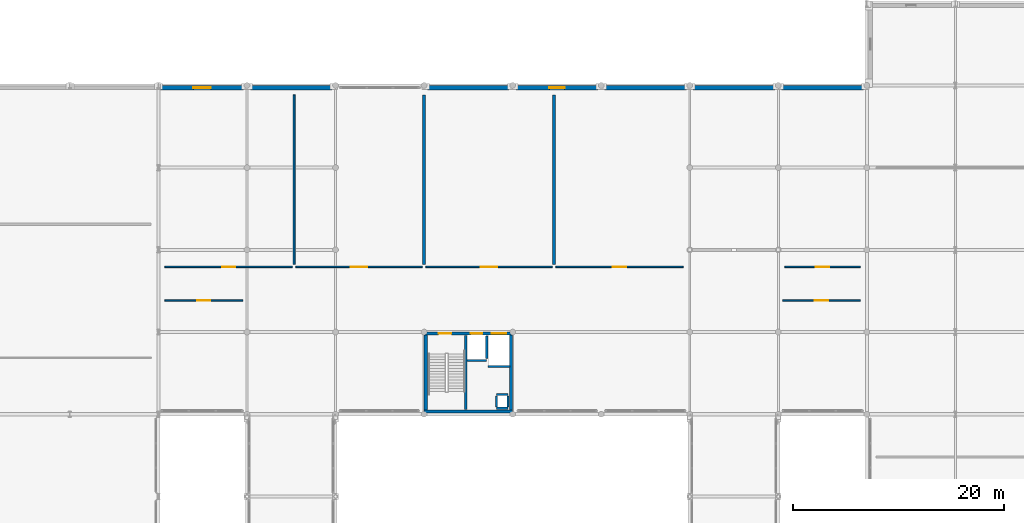
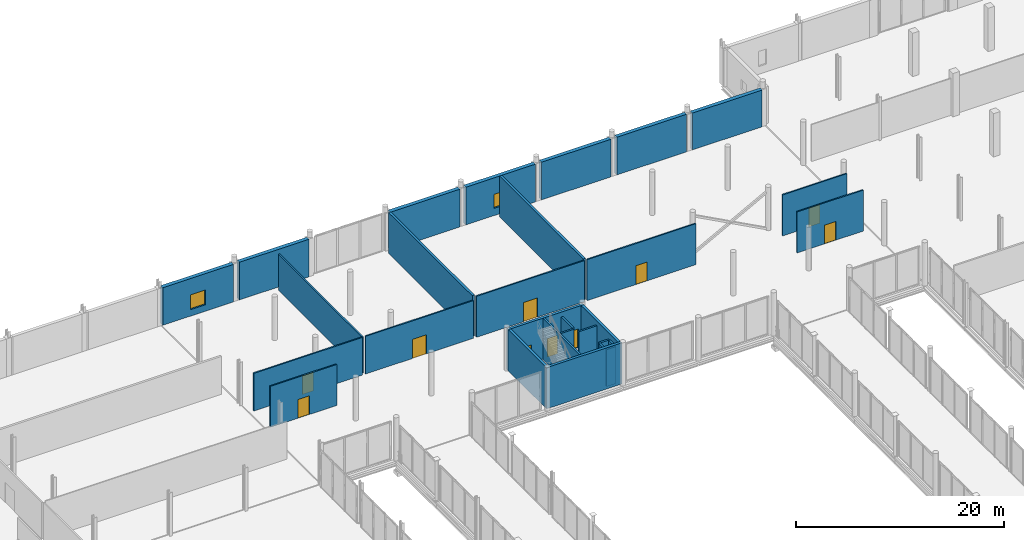
# One storey, part 79 of 105: 29 walls, 10 doors, 2 windows, 12 openings.
"""IFC4 building model written with IfcOpenShell, lengths in metres."""

from ifc_helpers import new_model, si_unit, direction, frame, frame_2d, origin, place, context, subcontext, project, spatial, rectangle, extrude, material, layer, layer_set, type_object, element, fill, save


model = new_model("IFC4")

# Units and contexts
model_context = context("Model", 3, precision=1e-05, world=origin(), true_north=direction((0.0, 1.0)))
body_context = subcontext(model_context, "Body", "Model", "MODEL_VIEW")
ifc_project = project(units=[si_unit("LENGTHUNIT", "METRE"), si_unit("AREAUNIT", "SQUARE_METRE"), si_unit("VOLUMEUNIT", "CUBIC_METRE"), si_unit("PLANEANGLEUNIT", "RADIAN"), si_unit("MASSUNIT", "GRAM", prefix="KILO")], contexts=[model_context])

# Site, building, storey
site_placement = place(None, origin())
site = spatial("IfcSite", under=ifc_project, at=site_placement, CompositionType="ELEMENT")
building_placement = place(site_placement, origin())
building = spatial("IfcBuilding", under=site, at=building_placement, Name="Nabrawat Pavilion Hospital", CompositionType="ELEMENT")
storey_placement = place(building_placement, frame((0.0, 0.0, 5.10009765625)))
storey = spatial("IfcBuildingStorey", under=building, at=storey_placement, Name="L01", CompositionType="ELEMENT", Elevation=5.10009765625)

# Wall
ifc_material_1 = material(Name="Epoxy-Coated Gypsum on Stud", Category="gypsum")
ifc_layer_1 = layer(ifc_material_1, 0.169921875, Name="Epoxy-Coated Gypsum on Stud")
ifc_layer_set_1 = layer_set([ifc_layer_1], Name="Epoxy-Coated Gypsum on Stud")
wall_type_1 = type_object("IfcWallType", Name="Biosafety Laboratory Chemical Wall 170", PredefinedType="PARTITIONING", material=ifc_layer_set_1)
wall_1_placement = place(storey_placement, frame((71.669921875, 100.010009765625, 0.0), z_axis=(0.0, 0.0, 1.0), x_axis=(0.0, 1.0, 0.0)))
element("IfcWall", 1, at=wall_1_placement, inside=storey, type_object=wall_type_1, Name="L01 Microbiology Biosafety Level-2 Laboratory L01-03 Dividing Partition", PredefinedType="PARTITIONING", context=body_context, shape_type="SweptSolid", body=[
    extrude(rectangle(XDim=16.10009765625, YDim=0.169921875, at=frame_2d((8.050048828125, 0.0))), origin(), (0.0, 0.0, 1.0), 4.239990234375),
])

# Wall, opening, door
ifc_material_2 = material(Name="Gypsum Fireboard on Steel Stud", Category="steel")
ifc_layer_2 = layer(ifc_material_2, 0.14990234375, Name="Gypsum Fireboard on Steel Stud")
ifc_layer_set_2 = layer_set([ifc_layer_2], Name="Gypsum Fireboard on Steel Stud")
wall_type_2 = type_object("IfcWallType", Name="Clinical Corridor Smoke-Barrier Wall 150", PredefinedType="PARTITIONING", material=ifc_layer_set_2)
wall_2_placement = place(storey_placement, frame((59.419921875, 96.610107421875, 0.0), z_axis=(0.0, 0.0, 1.0), x_axis=(1.0, 0.0, 0.0)))
wall_2 = element("IfcWall", 2, at=wall_2_placement, inside=storey, type_object=wall_type_2, Name="L01 Clinical Haematology and Coagulation Laboratory L01-01 Front Partition", PredefinedType="PARTITIONING", context=body_context, shape_type="SweptSolid", body=[
    extrude(rectangle(XDim=7.380126953125, YDim=0.14990234375, at=frame_2d((3.68994140625, 0.0))), origin(), (0.0, 0.0, 1.0), 4.81982421875),
])
opening_1_placement = place(wall_2_placement, frame((3.06494140625, 0.0, 0.0)))
opening_1 = element("IfcOpeningElement", 3, at=opening_1_placement, cuts=wall_2, Name="Opening D-LAB", PredefinedType="OPENING", context=body_context, shape_type="SweptSolid", body=[
    extrude(rectangle(XDim=1.25, YDim=2.199951171875, at=frame_2d((0.625, 1.10009765625))), frame((0.0, 0.0849609375, 0.0), z_axis=(0.0, -1.0, 0.0), x_axis=(1.0, 0.0, 0.0)), (0.0, 0.0, 1.0), 0.169921875),
])
ifc_material_3 = material(Name="Stainless-Clad Acoustic Timber and Vision Glass", Category="wood")
door_type_1 = type_object("IfcDoorType", Name="Laboratory Containment Vision-Panel Door 1250x2200", OperationType="NOTDEFINED", PredefinedType="DOOR", material=ifc_material_3)
door_1_placement = place(opening_1_placement, origin())
door_1 = element("IfcDoor", 4, at=door_1_placement, inside=storey, type_object=door_type_1, Name="Clinical Haematology and Coagulation Laboratory L01-01 Door", OperationType="SINGLE_SWING_RIGHT", OverallHeight=2.199951171875, OverallWidth=1.25, PredefinedType="DOOR", context=body_context, shape_type="SweptSolid", body=[
    extrude(rectangle(XDim=1.25, YDim=2.199951171875, at=frame_2d((0.625, 1.10009765625))), frame((0.0, 0.02490234375, 0.0), z_axis=(0.0, -1.0, 0.0), x_axis=(1.0, 0.0, 0.0)), (0.0, 0.0, 1.0), 0.050048828125),
])
fill(opening_1, door_1)

wall_3_placement = place(storey_placement, frame((118.0, 96.610107421875, 0.0), z_axis=(0.0, 0.0, 1.0), x_axis=(1.0, 0.0, 0.0)))
wall_3 = element("IfcWall", 5, at=wall_3_placement, inside=storey, type_object=wall_type_2, Name="L01 Automated Clinical Biochemistry Laboratory L01-02 Front Partition", PredefinedType="PARTITIONING", context=body_context, shape_type="SweptSolid", body=[
    extrude(rectangle(XDim=7.3798828125, YDim=0.14990234375, at=frame_2d((3.68994140625, 0.0))), origin(), (0.0, 0.0, 1.0), 4.81982421875),
])
opening_2_placement = place(wall_3_placement, frame((3.06494140625, 0.0, 0.0)))
opening_2 = element("IfcOpeningElement", 6, at=opening_2_placement, cuts=wall_3, Name="Opening D-LAB", PredefinedType="OPENING", context=body_context, shape_type="SweptSolid", body=[
    extrude(rectangle(XDim=1.25, YDim=2.199951171875, at=frame_2d((0.625, 1.10009765625))), frame((0.0, 0.0849609375, 0.0), z_axis=(0.0, -1.0, 0.0), x_axis=(1.0, 0.0, 0.0)), (0.0, 0.0, 1.0), 0.169921875),
])
door_2_placement = place(opening_2_placement, origin())
door_2 = element("IfcDoor", 7, at=door_2_placement, inside=storey, type_object=door_type_1, Name="Automated Clinical Biochemistry Laboratory L01-02 Door", OperationType="SINGLE_SWING_LEFT", OverallHeight=2.199951171875, OverallWidth=1.25, PredefinedType="DOOR", context=body_context, shape_type="SweptSolid", body=[
    extrude(rectangle(XDim=1.25, YDim=2.199951171875, at=frame_2d((0.625, 1.10009765625))), frame((0.0, 0.02490234375, 0.0), z_axis=(0.0, -1.0, 0.0), x_axis=(1.0, 0.0, 0.0)), (0.0, 0.0, 1.0), 0.050048828125),
])
fill(opening_2, door_2)

wall_4_placement = place(storey_placement, frame((59.419921875, 99.7900390625, 0.0), z_axis=(0.0, 0.0, 1.0), x_axis=(1.0, 0.0, 0.0)))
wall_4 = element("IfcWall", 8, at=wall_4_placement, inside=storey, type_object=wall_type_2, Name="L01 Microbiology Biosafety Level-2 Laboratory L01-03 Front Partition", PredefinedType="PARTITIONING", context=body_context, shape_type="SweptSolid", body=[
    extrude(rectangle(XDim=12.090087890625, YDim=0.14990234375, at=frame_2d((6.044921875, 0.0))), origin(), (0.0, 0.0, 1.0), 4.429931640625),
])
opening_3_placement = place(wall_4_placement, frame((5.419921875, 0.0, 0.0)))
opening_3 = element("IfcOpeningElement", 9, at=opening_3_placement, cuts=wall_4, Name="Opening D-LAB", PredefinedType="OPENING", context=body_context, shape_type="SweptSolid", body=[
    extrude(rectangle(XDim=1.25, YDim=2.199951171875, at=frame_2d((0.625, 1.10009765625))), frame((0.0, 0.0849609375, 0.0), z_axis=(0.0, -1.0, 0.0), x_axis=(1.0, 0.0, 0.0)), (0.0, 0.0, 1.0), 0.169921875),
])
door_3_placement = place(opening_3_placement, origin())
door_3 = element("IfcDoor", 10, at=door_3_placement, inside=storey, type_object=door_type_1, Name="Microbiology Biosafety Level-2 Laboratory L01-03 Door", OperationType="SINGLE_SWING_RIGHT", OverallHeight=2.199951171875, OverallWidth=1.25, PredefinedType="DOOR", context=body_context, shape_type="SweptSolid", body=[
    extrude(rectangle(XDim=1.25, YDim=2.199951171875, at=frame_2d((0.625, 1.10009765625))), frame((0.0, 0.02490234375, 0.0), z_axis=(0.0, -1.0, 0.0), x_axis=(1.0, 0.0, 0.0)), (0.0, 0.0, 1.0), 0.050048828125),
])
fill(opening_3, door_3)

wall_5_placement = place(storey_placement, frame((71.830078125, 99.7900390625, 0.0), z_axis=(0.0, 0.0, 1.0), x_axis=(1.0, 0.0, 0.0)))
wall_5 = element("IfcWall", 11, at=wall_5_placement, inside=storey, type_object=wall_type_2, Name="L01 Interventional Cardiology Cath-Lab Suite 1 L01-04 Front Partition", PredefinedType="PARTITIONING", context=body_context, shape_type="SweptSolid", body=[
    extrude(rectangle(XDim=12.010009765625, YDim=0.14990234375, at=frame_2d((6.0048828125, 0.0))), origin(), (0.0, 0.0, 1.0), 4.429931640625),
])
opening_4_placement = place(wall_5_placement, frame((5.22998046875, 0.0, 0.0)))
opening_4 = element("IfcOpeningElement", 12, at=opening_4_placement, cuts=wall_5, Name="Opening D-IMG", PredefinedType="OPENING", context=body_context, shape_type="SweptSolid", body=[
    extrude(rectangle(XDim=1.550048828125, YDim=2.25, at=frame_2d((0.77490234375, 1.125))), frame((0.0, 0.0849609375, 0.0), z_axis=(0.0, -1.0, 0.0), x_axis=(1.0, 0.0, 0.0)), (0.0, 0.0, 1.0), 0.169921875),
])
door_type_2 = type_object("IfcDoorType", Name="Lead-Lined Radiology Shielded Door 1550x2250", OperationType="NOTDEFINED", PredefinedType="DOOR", material=ifc_material_3)
door_4_placement = place(opening_4_placement, origin())
door_4 = element("IfcDoor", 13, at=door_4_placement, inside=storey, type_object=door_type_2, Name="Interventional Cardiology Cath-Lab Suite 1 L01-04 Door", OperationType="SINGLE_SWING_LEFT", OverallHeight=2.25, OverallWidth=1.550048828125, PredefinedType="DOOR", context=body_context, shape_type="SweptSolid", body=[
    extrude(rectangle(XDim=1.550048828125, YDim=2.25, at=frame_2d((0.77490234375, 1.125))), frame((0.0, 0.02490234375, 0.0), z_axis=(0.0, -1.0, 0.0), x_axis=(1.0, 0.0, 0.0)), (0.0, 0.0, 1.0), 0.050048828125),
])
fill(opening_4, door_4)

wall_6_placement = place(storey_placement, frame((84.159912109375, 99.7900390625, 0.0), z_axis=(0.0, 0.0, 1.0), x_axis=(1.0, 0.0, 0.0)))
wall_6 = element("IfcWall", 14, at=wall_6_placement, inside=storey, type_object=wall_type_2, Name="L01 Interventional Angiography Suite 2 L01-05 Front Partition", PredefinedType="PARTITIONING", context=body_context, shape_type="SweptSolid", body=[
    extrude(rectangle(XDim=12.010009765625, YDim=0.14990234375, at=frame_2d((6.0048828125, 0.0))), origin(), (0.0, 0.0, 1.0), 4.81982421875),
])
opening_5_placement = place(wall_6_placement, frame((5.22998046875, 0.0, 0.0)))
opening_5 = element("IfcOpeningElement", 15, at=opening_5_placement, cuts=wall_6, Name="Opening D-IMG", PredefinedType="OPENING", context=body_context, shape_type="SweptSolid", body=[
    extrude(rectangle(XDim=1.550048828125, YDim=2.25, at=frame_2d((0.77490234375, 1.125))), frame((0.0, 0.0849609375, 0.0), z_axis=(0.0, -1.0, 0.0), x_axis=(1.0, 0.0, 0.0)), (0.0, 0.0, 1.0), 0.169921875),
])
door_5_placement = place(opening_5_placement, origin())
door_5 = element("IfcDoor", 16, at=door_5_placement, inside=storey, type_object=door_type_2, Name="Interventional Angiography Suite 2 L01-05 Door", OperationType="SINGLE_SWING_RIGHT", OverallHeight=2.25, OverallWidth=1.550048828125, PredefinedType="DOOR", context=body_context, shape_type="SweptSolid", body=[
    extrude(rectangle(XDim=1.550048828125, YDim=2.25, at=frame_2d((0.77490234375, 1.125))), frame((0.0, 0.02490234375, 0.0), z_axis=(0.0, -1.0, 0.0), x_axis=(1.0, 0.0, 0.0)), (0.0, 0.0, 1.0), 0.050048828125),
])
fill(opening_5, door_5)

wall_7_placement = place(storey_placement, frame((96.489990234375, 99.7900390625, 0.0), z_axis=(0.0, 0.0, 1.0), x_axis=(1.0, 0.0, 0.0)))
wall_7 = element("IfcWall", 17, at=wall_7_placement, inside=storey, type_object=wall_type_2, Name="L01 Molecular Diagnostics Genomics Laboratory L01-06 Front Partition", PredefinedType="PARTITIONING", context=body_context, shape_type="SweptSolid", body=[
    extrude(rectangle(XDim=12.090087890625, YDim=0.14990234375, at=frame_2d((6.044921875, 0.0))), origin(), (0.0, 0.0, 1.0), 4.81982421875),
])
opening_6_placement = place(wall_7_placement, frame((5.419921875, 0.0, 0.0)))
opening_6 = element("IfcOpeningElement", 18, at=opening_6_placement, cuts=wall_7, Name="Opening D-LAB", PredefinedType="OPENING", context=body_context, shape_type="SweptSolid", body=[
    extrude(rectangle(XDim=1.25, YDim=2.199951171875, at=frame_2d((0.625, 1.10009765625))), frame((0.0, 0.0849609375, 0.0), z_axis=(0.0, -1.0, 0.0), x_axis=(1.0, 0.0, 0.0)), (0.0, 0.0, 1.0), 0.169921875),
])
door_6_placement = place(opening_6_placement, origin())
door_6 = element("IfcDoor", 19, at=door_6_placement, inside=storey, type_object=door_type_1, Name="Molecular Diagnostics Genomics Laboratory L01-06 Door", OperationType="SINGLE_SWING_LEFT", OverallHeight=2.199951171875, OverallWidth=1.25, PredefinedType="DOOR", context=body_context, shape_type="SweptSolid", body=[
    extrude(rectangle(XDim=1.25, YDim=2.199951171875, at=frame_2d((0.625, 1.10009765625))), frame((0.0, 0.02490234375, 0.0), z_axis=(0.0, -1.0, 0.0), x_axis=(1.0, 0.0, 0.0)), (0.0, 0.0, 1.0), 0.050048828125),
])
fill(opening_6, door_6)

wall_8_placement = place(storey_placement, frame((118.219970703125, 99.7900390625, 0.0), z_axis=(0.0, 0.0, 1.0), x_axis=(1.0, 0.0, 0.0)))
wall_8 = element("IfcWall", 20, at=wall_8_placement, inside=storey, type_object=wall_type_2, Name="L01 Clinical Haematology and Coagulation Laboratory L01-07 Front Partition", PredefinedType="PARTITIONING", context=body_context, shape_type="SweptSolid", body=[
    extrude(rectangle(XDim=7.159912109375, YDim=0.14990234375, at=frame_2d((3.580078125, 0.0))), origin(), (0.0, 0.0, 1.0), 4.81982421875),
])
opening_7_placement = place(wall_8_placement, frame((2.955078125, 0.0, 0.0)))
opening_7 = element("IfcOpeningElement", 21, at=opening_7_placement, cuts=wall_8, Name="Opening D-LAB", PredefinedType="OPENING", context=body_context, shape_type="SweptSolid", body=[
    extrude(rectangle(XDim=1.25, YDim=2.199951171875, at=frame_2d((0.625, 1.10009765625))), frame((0.0, 0.0849609375, 0.0), z_axis=(0.0, -1.0, 0.0), x_axis=(1.0, 0.0, 0.0)), (0.0, 0.0, 1.0), 0.169921875),
])
door_7_placement = place(opening_7_placement, origin())
door_7 = element("IfcDoor", 22, at=door_7_placement, inside=storey, type_object=door_type_1, Name="Clinical Haematology and Coagulation Laboratory L01-07 Door", OperationType="SINGLE_SWING_RIGHT", OverallHeight=2.199951171875, OverallWidth=1.25, PredefinedType="DOOR", context=body_context, shape_type="SweptSolid", body=[
    extrude(rectangle(XDim=1.25, YDim=2.199951171875, at=frame_2d((0.625, 1.10009765625))), frame((0.0, 0.02490234375, 0.0), z_axis=(0.0, -1.0, 0.0), x_axis=(1.0, 0.0, 0.0)), (0.0, 0.0, 1.0), 0.050048828125),
])
fill(opening_7, door_7)

# Wall, opening, window
ifc_material_4 = material(Name="Precast concrete C40/50", Category="concrete")
ifc_layer_3 = layer(ifc_material_4, 0.419921875, Name="Precast concrete C40/50")
ifc_layer_set_3 = layer_set([ifc_layer_3], Name="Precast concrete C40/50")
wall_type_3 = type_object("IfcWallType", Name="Diagnostic Shielded Precast Facade Wall 420", PredefinedType="SOLIDWALL", material=ifc_layer_set_3)
wall_9_placement = place(storey_placement, frame((59.0, 116.780029296875, 0.0), z_axis=(0.0, 0.0, 1.0), x_axis=(1.0, 0.0, 0.0)))
wall_9 = element("IfcWall", 23, at=wall_9_placement, inside=storey, type_object=wall_type_3, Name="L01 Diagnostic Shielded Precast Facade Wall 420 197", PredefinedType="SOLIDWALL", context=body_context, shape_type="SweptSolid", body=[
    extrude(rectangle(XDim=7.875, YDim=0.419921875, at=frame_2d((3.9375, 0.0))), origin(), (0.0, 0.0, 1.0), 4.419921875),
])
opening_8_placement = place(wall_9_placement, frame((3.112548828125, 0.0, 0.75)))
opening_8 = element("IfcOpeningElement", 24, at=opening_8_placement, cuts=wall_9, Name="Opening WN-13", PredefinedType="OPENING", context=body_context, shape_type="SweptSolid", body=[
    extrude(rectangle(XDim=1.64990234375, YDim=1.75, at=frame_2d((0.824951171875, 0.875))), frame((0.0, 0.219970703125, 0.0), z_axis=(0.0, -1.0, 0.0), x_axis=(1.0, 0.0, 0.0)), (0.0, 0.0, 1.0), 0.43994140625),
])
ifc_material_5 = material(Name="Thermally Broken Aluminium and Solar Glass", Category="aluminium")
window_type_1 = type_object("IfcWindowType", Name="Paediatric Ward Low-Sill Window 1650x1750", PartitioningType="SINGLE_PANEL", PredefinedType="WINDOW", material=ifc_material_5)
window_1_placement = place(opening_8_placement, origin())
window_1 = element("IfcWindow", 25, at=window_1_placement, inside=storey, type_object=window_type_1, Name="L01 Paediatric Ward Low-Sill Window 1650x1750 077", OverallHeight=1.75, OverallWidth=1.64990234375, PartitioningType="SINGLE_PANEL", PredefinedType="WINDOW", context=body_context, shape_type="SweptSolid", body=[
    extrude(rectangle(XDim=1.64990234375, YDim=1.75, at=frame_2d((0.824951171875, 0.875))), frame((0.0, 0.030029296875, 0.0), z_axis=(0.0, -1.0, 0.0), x_axis=(1.0, 0.0, 0.0)), (0.0, 0.0, 1.0), 0.06005859375),
])
fill(opening_8, window_1)

# Walls
wall_10_placement = place(storey_placement, frame((67.52490234375, 116.780029296875, 0.0), z_axis=(0.0, 0.0, 1.0), x_axis=(1.0, 0.0, 0.0)))
element("IfcWall", 26, at=wall_10_placement, inside=storey, type_object=wall_type_3, Name="L01 Diagnostic Shielded Precast Facade Wall 420 198", PredefinedType="SOLIDWALL", context=body_context, shape_type="SweptSolid", body=[
    extrude(rectangle(XDim=7.75, YDim=0.419921875, at=frame_2d((3.875, 0.0))), origin(), (0.0, 0.0, 1.0), 4.429931640625),
])
wall_11_placement = place(storey_placement, frame((84.324951171875, 116.780029296875, 0.0), z_axis=(0.0, 0.0, 1.0), x_axis=(1.0, 0.0, 0.0)))
element("IfcWall", 27, at=wall_11_placement, inside=storey, type_object=wall_type_3, Name="L01 Diagnostic Shielded Precast Facade Wall 420 199", PredefinedType="SOLIDWALL", context=body_context, shape_type="SweptSolid", body=[
    extrude(rectangle(XDim=7.75, YDim=0.419921875, at=frame_2d((3.875, 0.0))), origin(), (0.0, 0.0, 1.0), 4.43994140625),
])

# Wall, opening, window
wall_12_placement = place(storey_placement, frame((92.72509765625, 116.780029296875, 0.0), z_axis=(0.0, 0.0, 1.0), x_axis=(1.0, 0.0, 0.0)))
wall_12 = element("IfcWall", 28, at=wall_12_placement, inside=storey, type_object=wall_type_3, Name="L01 Diagnostic Shielded Precast Facade Wall 420 200", PredefinedType="SOLIDWALL", context=body_context, shape_type="SweptSolid", body=[
    extrude(rectangle(XDim=7.75, YDim=0.419921875, at=frame_2d((3.875, 0.0))), origin(), (0.0, 0.0, 1.0), 4.43994140625),
])
opening_9_placement = place(wall_12_placement, frame((3.14990234375, 0.0, 0.85009765625)))
opening_9 = element("IfcOpeningElement", 29, at=opening_9_placement, cuts=wall_12, Name="Opening WN-14", PredefinedType="OPENING", context=body_context, shape_type="SweptSolid", body=[
    extrude(rectangle(XDim=1.449951171875, YDim=1.64990234375, at=frame_2d((0.72509765625, 0.824951171875))), frame((0.0, 0.219970703125, 0.0), z_axis=(0.0, -1.0, 0.0), x_axis=(1.0, 0.0, 0.0)), (0.0, 0.0, 1.0), 0.43994140625),
])
window_type_2 = type_object("IfcWindowType", Name="Oncology Protective Ward Window 1450x1650", PartitioningType="SINGLE_PANEL", PredefinedType="WINDOW", material=ifc_material_5)
window_2_placement = place(opening_9_placement, origin())
window_2 = element("IfcWindow", 30, at=window_2_placement, inside=storey, type_object=window_type_2, Name="L01 Oncology Protective Ward Window 1450x1650 078", OverallHeight=1.64990234375, OverallWidth=1.449951171875, PartitioningType="SINGLE_PANEL", PredefinedType="WINDOW", context=body_context, shape_type="SweptSolid", body=[
    extrude(rectangle(XDim=1.449951171875, YDim=1.64990234375, at=frame_2d((0.72509765625, 0.824951171875))), frame((0.0, 0.030029296875, 0.0), z_axis=(0.0, -1.0, 0.0), x_axis=(1.0, 0.0, 0.0)), (0.0, 0.0, 1.0), 0.06005859375),
])
fill(opening_9, window_2)

# Walls
for number, where, z_axis, x_axis, name in (
    (31, (101.125, 116.780029296875, 0.0), (0.0, 0.0, 1.0), (1.0, 0.0, 0.0), "L01 Diagnostic Shielded Precast Facade Wall 420 201"),
    (32, (109.52490234375, 116.780029296875, 0.0), (0.0, 0.0, 1.0), (1.0, 0.0, 0.0), "L01 Diagnostic Shielded Precast Facade Wall 420 202"),
):
    element("IfcWall", number, at=place(storey_placement, frame(where, z_axis=z_axis, x_axis=x_axis)), inside=storey, type_object=wall_type_3, Name=name, PredefinedType="SOLIDWALL", context=body_context, shape_type="SweptSolid", body=[
        extrude(rectangle(XDim=7.75, YDim=0.419921875, at=frame_2d((3.875, 0.0))), origin(), (0.0, 0.0, 1.0), 4.429931640625),
    ])
wall_13_placement = place(storey_placement, frame((117.925048828125, 116.780029296875, 0.0), z_axis=(0.0, 0.0, 1.0), x_axis=(1.0, 0.0, 0.0)))
element("IfcWall", 33, at=wall_13_placement, inside=storey, type_object=wall_type_3, Name="L01 Diagnostic Shielded Precast Facade Wall 420 203", PredefinedType="SOLIDWALL", context=body_context, shape_type="SweptSolid", body=[
    extrude(rectangle(XDim=7.75, YDim=0.419921875, at=frame_2d((3.875, 0.0))), origin(), (0.0, 0.0, 1.0), 4.329833984375),
])
ifc_material_6 = material(Name="Barium Concrete Block", Category="concrete")
ifc_layer_4 = layer(ifc_material_6, 0.260009765625, Name="Barium Concrete Block")
ifc_layer_set_4 = layer_set([ifc_layer_4], Name="Barium Concrete Block")
wall_type_4 = type_object("IfcWallType", Name="Diagnostic X-Ray Barium-Plaster Wall 260", PredefinedType="PARTITIONING", material=ifc_layer_set_4)
for number, where, z_axis, x_axis, name in (
    (34, (84.0, 100.010009765625, 0.0), (0.0, 0.0, 1.0), (0.0, 1.0, 0.0), "L01 Interventional Cardiology Cath-Lab Suite 1 L01-04 Dividing Partition"),
    (35, (96.330078125, 100.010009765625, 0.0), (0.0, 0.0, 1.0), (0.0, 1.0, 0.0), "L01 Interventional Angiography Suite 2 L01-05 Dividing Partition"),
):
    element("IfcWall", number, at=place(storey_placement, frame(where, z_axis=z_axis, x_axis=x_axis)), inside=storey, type_object=wall_type_4, Name=name, PredefinedType="PARTITIONING", context=body_context, shape_type="SweptSolid", body=[
        extrude(rectangle(XDim=16.10009765625, YDim=0.260009765625, at=frame_2d((8.050048828125, 0.0))), origin(), (0.0, 0.0, 1.0), 4.81982421875),
    ])
ifc_material_7 = material(Name="Concrete C35/45", Category="concrete")
ifc_layer_5 = layer(ifc_material_7, 0.199951171875, Name="Concrete C35/45")
ifc_layer_set_5 = layer_set([ifc_layer_5], Name="Concrete C35/45")
wall_type_5 = type_object("IfcWallType", Name="Lift and Riser Fire Shaft Wall 200", PredefinedType="PARTITIONING", material=ifc_layer_set_5)
wall_14_placement = place(storey_placement, frame((87.949951171875, 86.239990234375, 0.0), z_axis=(0.0, 0.0, 1.0), x_axis=(0.0, 1.0, 0.0)))
element("IfcWall", 36, at=wall_14_placement, inside=storey, type_object=wall_type_5, Name="L01 CORE-3 Stair-Lift Dividing Shear Wall", PredefinedType="SHEAR", context=body_context, shape_type="SweptSolid", body=[
    extrude(rectangle(XDim=7.0400390625, YDim=0.199951171875, at=frame_2d((3.52001953125, 0.0))), origin(), (0.0, 0.0, 1.0), 4.849853515625),
])
for number, where, z_axis, x_axis, name in (
    (37, (90.85009765625, 86.3701171875, 0.0), (0.0, 0.0, 1.0), (1.0, 0.0, 0.0), "L01 CORE-3 MEP Riser Shaft Wall S"),
    (38, (90.85009765625, 87.669921875, 0.0), (0.0, 0.0, 1.0), (1.0, 0.0, 0.0), "L01 CORE-3 MEP Riser Shaft Wall N"),
):
    element("IfcWall", number, at=place(storey_placement, frame(where, z_axis=z_axis, x_axis=x_axis)), inside=storey, type_object=wall_type_5, Name=name, PredefinedType="PARTITIONING", context=body_context, shape_type="SweptSolid", body=[
        extrude(rectangle(XDim=1.099853515625, YDim=0.199951171875, at=frame_2d((0.5498046875, 0.0))), origin(), (0.0, 0.0, 1.0), 4.33984375),
    ])
for number, where, z_axis, x_axis, name in (
    (39, (90.85009765625, 86.489990234375, 0.0), (0.0, 0.0, 1.0), (0.0, 1.0, 0.0), "L01 CORE-3 MEP Riser Shaft Wall W"),
    (40, (91.949951171875, 86.489990234375, 0.0), (0.0, 0.0, 1.0), (0.0, 1.0, 0.0), "L01 CORE-3 MEP Riser Shaft Wall E"),
):
    element("IfcWall", number, at=place(storey_placement, frame(where, z_axis=z_axis, x_axis=x_axis)), inside=storey, type_object=wall_type_5, Name=name, PredefinedType="PARTITIONING", context=body_context, shape_type="SweptSolid", body=[
        extrude(rectangle(XDim=1.06005859375, YDim=0.199951171875, at=frame_2d((0.530029296875, 0.0))), origin(), (0.0, 0.0, 1.0), 4.33984375),
    ])
wall_15_placement = place(storey_placement, frame((89.93994140625, 91.080078125, 0.0), z_axis=(0.0, 0.0, 1.0), x_axis=(0.0, 1.0, 0.0)))
element("IfcWall", 41, at=wall_15_placement, inside=storey, type_object=wall_type_5, Name="L01 Lift LP-02 Shaft East Wall", PredefinedType="PARTITIONING", context=body_context, shape_type="SweptSolid", body=[
    extrude(rectangle(XDim=2.139892578125, YDim=0.199951171875, at=frame_2d((1.06982421875, 0.0))), origin(), (0.0, 0.0, 1.0), 4.33984375),
])
wall_16_placement = place(storey_placement, frame((88.050048828125, 90.919921875, 0.0), z_axis=(0.0, 0.0, 1.0), x_axis=(1.0, 0.0, 0.0)))
element("IfcWall", 42, at=wall_16_placement, inside=storey, type_object=wall_type_5, Name="L01 Lift LP-02 Shaft Back Wall", PredefinedType="PARTITIONING", context=body_context, shape_type="SweptSolid", body=[
    extrude(rectangle(XDim=1.85986328125, YDim=0.199951171875, at=frame_2d((0.929931640625, 0.0))), origin(), (0.0, 0.0, 1.0), 4.33984375),
])
wall_17_placement = place(storey_placement, frame((90.070068359375, 90.320068359375, 0.0), z_axis=(0.0, 0.0, 1.0), x_axis=(1.0, 0.0, 0.0)))
element("IfcWall", 43, at=wall_17_placement, inside=storey, type_object=wall_type_5, Name="L01 Lift LB-02 Shaft Back Wall", PredefinedType="PARTITIONING", context=body_context, shape_type="SweptSolid", body=[
    extrude(rectangle(XDim=2.059814453125, YDim=0.199951171875, at=frame_2d((1.02978515625, 0.0))), origin(), (0.0, 0.0, 1.0), 4.33984375),
])
ifc_material_8 = material(Name="Concrete C40/50", Category="concrete")
ifc_layer_6 = layer(ifc_material_8, 0.300048828125, Name="Concrete C40/50")
ifc_layer_set_6 = layer_set([ifc_layer_6], Name="Concrete C40/50")
wall_type_6 = type_object("IfcWallType", Name="Reinforced Concrete Core Shear Wall 300", PredefinedType="SHEAR", material=ifc_layer_set_6)
wall_18_placement = place(storey_placement, frame((84.0, 86.070068359375, 0.0), z_axis=(0.0, 0.0, 1.0), x_axis=(1.0, 0.0, 0.0)))
element("IfcWall", 44, at=wall_18_placement, inside=storey, type_object=wall_type_6, Name="L01 CORE-3 South Core Shear Wall", PredefinedType="SHEAR", context=body_context, shape_type="SweptSolid", body=[
    extrude(rectangle(XDim=8.39990234375, YDim=0.300048828125, at=frame_2d((4.199951171875, 0.0))), origin(), (0.0, 0.0, 1.0), 4.849853515625),
])

# Wall, openings, doors
wall_19_placement = place(storey_placement, frame((84.0, 93.449951171875, 0.0), z_axis=(0.0, 0.0, 1.0), x_axis=(1.0, 0.0, 0.0)))
wall_19 = element("IfcWall", 45, at=wall_19_placement, inside=storey, type_object=wall_type_6, Name="L01 CORE-3 North Core Shear Wall", PredefinedType="SHEAR", context=body_context, shape_type="SweptSolid", body=[
    extrude(rectangle(XDim=8.39990234375, YDim=0.300048828125, at=frame_2d((4.199951171875, 0.0))), origin(), (0.0, 0.0, 1.0), 4.849853515625),
])
opening_10_placement = place(wall_19_placement, frame((1.3798828125, 0.0, 0.0)))
opening_10 = element("IfcOpeningElement", 46, at=opening_10_placement, cuts=wall_19, Name="Opening D-STAIR", PredefinedType="OPENING", context=body_context, shape_type="SweptSolid", body=[
    extrude(rectangle(XDim=1.199951171875, YDim=2.14990234375, at=frame_2d((0.60009765625, 1.074951171875))), frame((0.0, 0.16015625, 0.0), z_axis=(0.0, -1.0, 0.0), x_axis=(1.0, 0.0, 0.0)), (0.0, 0.0, 1.0), 0.320068359375),
])
opening_11_placement = place(wall_19_placement, frame((4.429931640625, 0.0, 0.0)))
opening_11 = element("IfcOpeningElement", 47, at=opening_11_placement, cuts=wall_19, Name="Opening LD-LP-02", PredefinedType="OPENING", context=body_context, shape_type="SweptSolid", body=[
    extrude(rectangle(XDim=1.10009765625, YDim=2.14990234375, at=frame_2d((0.550048828125, 1.074951171875))), frame((0.0, 0.16015625, 0.0), z_axis=(0.0, -1.0, 0.0), x_axis=(1.0, 0.0, 0.0)), (0.0, 0.0, 1.0), 0.320068359375),
])
opening_12_placement = place(wall_19_placement, frame((6.39990234375, 0.0, 0.0)))
opening_12 = element("IfcOpeningElement", 48, at=opening_12_placement, cuts=wall_19, Name="Opening LD-LB-02", PredefinedType="OPENING", context=body_context, shape_type="SweptSolid", body=[
    extrude(rectangle(XDim=1.39990234375, YDim=2.199951171875, at=frame_2d((0.699951171875, 1.10009765625))), frame((0.0, 0.16015625, 0.0), z_axis=(0.0, -1.0, 0.0), x_axis=(1.0, 0.0, 0.0)), (0.0, 0.0, 1.0), 0.320068359375),
])
door_type_3 = type_object("IfcDoorType", Name="D-STAIR Exit Stair Fire Door 1200x2150", OperationType="NOTDEFINED", PredefinedType="DOOR", material=ifc_material_3)
door_8_placement = place(opening_10_placement, origin())
door_8 = element("IfcDoor", 49, at=door_8_placement, inside=storey, type_object=door_type_3, Name="L01 ST-03 Fire Exit Stair Door", OperationType="SINGLE_SWING_LEFT", OverallHeight=2.14990234375, OverallWidth=1.199951171875, PredefinedType="DOOR", context=body_context, shape_type="SweptSolid", body=[
    extrude(rectangle(XDim=1.199951171875, YDim=2.14990234375, at=frame_2d((0.60009765625, 1.074951171875))), frame((0.0, 0.02490234375, 0.0), z_axis=(0.0, -1.0, 0.0), x_axis=(1.0, 0.0, 0.0)), (0.0, 0.0, 1.0), 0.050048828125),
])
fill(opening_10, door_8)
door_type_4 = type_object("IfcDoorType", Name="Hospital Bed Lift Sliding Landing Door 1400x2200", OperationType="DOUBLE_DOOR_SLIDING", PredefinedType="DOOR", material=ifc_material_3)
door_9_placement = place(opening_12_placement, origin())
door_9 = element("IfcDoor", 50, at=door_9_placement, inside=storey, type_object=door_type_4, Name="L01 Lift LB-02 Sliding Landing Door", OperationType="DOUBLE_DOOR_SLIDING", OverallHeight=2.199951171875, OverallWidth=1.39990234375, PredefinedType="DOOR", context=body_context, shape_type="SweptSolid", body=[
    extrude(rectangle(XDim=1.39990234375, YDim=2.199951171875, at=frame_2d((0.699951171875, 1.10009765625))), frame((0.0, 0.02490234375, 0.0), z_axis=(0.0, -1.0, 0.0), x_axis=(1.0, 0.0, 0.0)), (0.0, 0.0, 1.0), 0.050048828125),
])
fill(opening_12, door_9)
door_type_5 = type_object("IfcDoorType", Name="Passenger Lift Sliding Landing Door 1100x2150", OperationType="DOUBLE_DOOR_SLIDING", PredefinedType="DOOR", material=ifc_material_3)
door_10_placement = place(opening_11_placement, origin())
door_10 = element("IfcDoor", 51, at=door_10_placement, inside=storey, type_object=door_type_5, Name="L01 Lift LP-02 Sliding Landing Door", OperationType="DOUBLE_DOOR_SLIDING", OverallHeight=2.14990234375, OverallWidth=1.10009765625, PredefinedType="DOOR", context=body_context, shape_type="SweptSolid", body=[
    extrude(rectangle(XDim=1.10009765625, YDim=2.14990234375, at=frame_2d((0.550048828125, 1.074951171875))), frame((0.0, 0.02490234375, 0.0), z_axis=(0.0, -1.0, 0.0), x_axis=(1.0, 0.0, 0.0)), (0.0, 0.0, 1.0), 0.050048828125),
])
fill(opening_11, door_10)

# Walls
for number, where, z_axis, x_axis, name in (
    (52, (84.14990234375, 86.219970703125, 0.0), (0.0, 0.0, 1.0), (0.0, 1.0, 0.0), "L01 CORE-3 West Core Shear Wall"),
    (53, (92.25, 86.219970703125, 0.0), (0.0, 0.0, 1.0), (0.0, 1.0, 0.0), "L01 CORE-3 East Core Shear Wall"),
):
    element("IfcWall", number, at=place(storey_placement, frame(where, z_axis=z_axis, x_axis=x_axis)), inside=storey, type_object=wall_type_6, Name=name, PredefinedType="SHEAR", context=body_context, shape_type="SweptSolid", body=[
        extrude(rectangle(XDim=7.080078125, YDim=0.300048828125, at=frame_2d((3.5400390625, 0.0))), origin(), (0.0, 0.0, 1.0), 4.849853515625),
    ])

save(model, "model.ifc")
